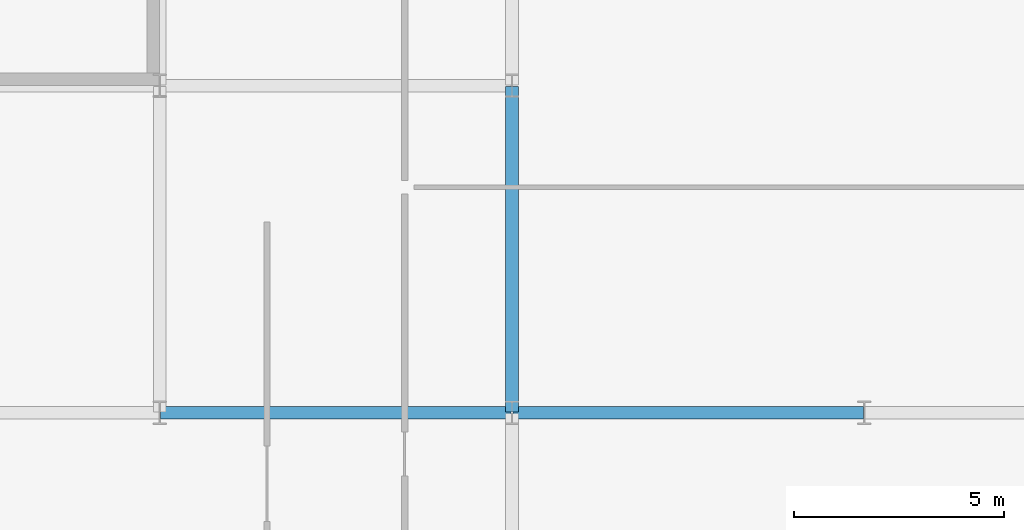
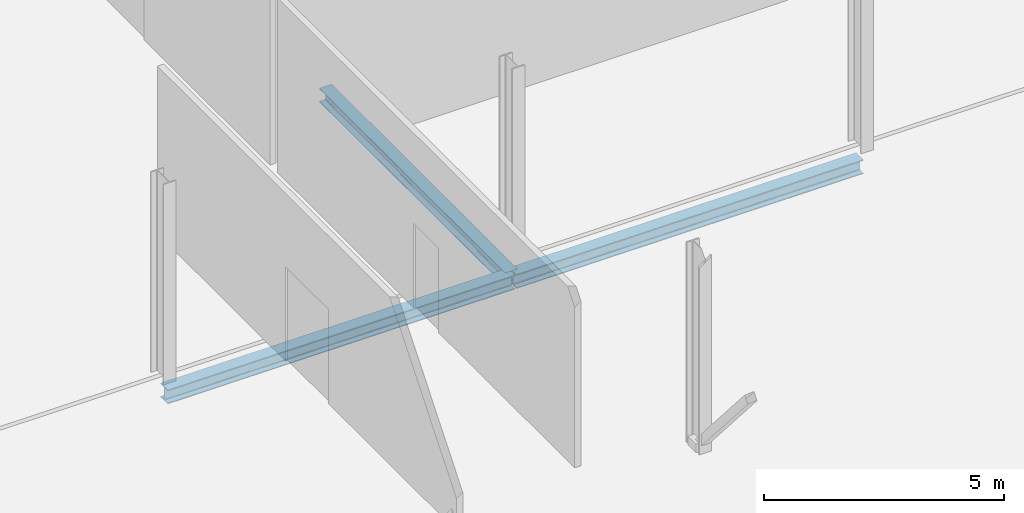
# One storey, part 42 of 105: 3 beams.
"""IFC4 building model written with IfcOpenShell, lengths in metres."""

from ifc_helpers import new_model, si_unit, direction, frame, origin, origin_2d, place, context, subcontext, project, spatial, i_section, extrude, material, material_profile, profile_set, type_object, element, save


model = new_model("IFC4")

# Units and contexts
model_context = context("Model", 3, precision=1e-05, world=origin(), true_north=direction((0.0, 1.0)))
body_context = subcontext(model_context, "Body", "Model", "MODEL_VIEW")
ifc_project = project(units=[si_unit("LENGTHUNIT", "METRE"), si_unit("AREAUNIT", "SQUARE_METRE"), si_unit("VOLUMEUNIT", "CUBIC_METRE"), si_unit("PLANEANGLEUNIT", "RADIAN"), si_unit("MASSUNIT", "GRAM", prefix="KILO")], contexts=[model_context])

# Site, building, storey
site_placement = place(None, origin())
site = spatial("IfcSite", under=ifc_project, at=site_placement, CompositionType="ELEMENT")
building_placement = place(site_placement, origin())
building = spatial("IfcBuilding", under=site, at=building_placement, Name="Nabrawat Pavilion Hospital", CompositionType="ELEMENT")
storey_placement = place(building_placement, frame((0.0, 0.0, 5.10009765625)))
storey = spatial("IfcBuildingStorey", under=building, at=storey_placement, Name="L01", CompositionType="ELEMENT", Elevation=5.10009765625)

# Beams
ifc_material = material(Name="Steel S355", Category="steel")
ifc_material_profile_1 = material_profile(ifc_material, i_section(OverallWidth=0.300048828125, OverallDepth=0.360107421875, WebThickness=0.012451171875, FlangeThickness=0.0224609375, FilletRadius=0.027099609375, at=origin_2d()), Name="HEB 360")
ifc_profile_set_1 = profile_set([ifc_material_profile_1], Name="Steel S355")
beam_type_1 = type_object("IfcBeamType", Name="Surgical Perimeter Spandrel HEB 360", PredefinedType="SPANDREL", material=ifc_profile_set_1)
beam_1_placement = place(storey_placement, frame((25.219970703125, 85.800048828125, -0.4501953125), z_axis=(1.0, 0.0, 0.0), x_axis=(0.0, 1.0, 0.0)))
element("IfcBeam", 1, at=beam_1_placement, inside=storey, type_object=beam_type_1, Name="L01 Primary X Girder 602", PredefinedType="SPANDREL", context=body_context, shape_type="SweptSolid", body=[
    extrude(i_section(OverallWidth=0.300048828125, OverallDepth=0.360107421875, WebThickness=0.012451171875, FlangeThickness=0.0224609375, FilletRadius=0.027099609375, at=origin_2d()), origin(), (0.0, 0.0, 1.0), 8.360107421875),
])
beam_2_placement = place(storey_placement, frame((33.6201171875, 85.800048828125, -0.4501953125), z_axis=(1.0, 0.0, 0.0), x_axis=(0.0, 1.0, 0.0)))
element("IfcBeam", 2, at=beam_2_placement, inside=storey, type_object=beam_type_1, Name="L01 Primary X Girder 603", PredefinedType="SPANDREL", context=body_context, shape_type="SweptSolid", body=[
    extrude(i_section(OverallWidth=0.300048828125, OverallDepth=0.360107421875, WebThickness=0.012451171875, FlangeThickness=0.0224609375, FilletRadius=0.027099609375, at=origin_2d()), origin(), (0.0, 0.0, 1.0), 8.35986328125),
])
ifc_material_profile_2 = material_profile(ifc_material, i_section(OverallWidth=0.300048828125, OverallDepth=0.35009765625, WebThickness=0.009521484375, FlangeThickness=0.017578125, FilletRadius=0.027099609375, at=origin_2d()), Name="HEA 360")
ifc_profile_set_2 = profile_set([ifc_material_profile_2], Name="Steel S355")
beam_type_2 = type_object("IfcBeamType", Name="Surgical Stiffened Beam HEA 360", PredefinedType="BEAM", material=ifc_profile_set_2)
beam_3_placement = place(storey_placement, frame((33.60009765625, 85.820068359375, -0.445068359375), z_axis=(0.0, 1.0, 0.0), x_axis=(-1.0, 0.0, 0.0)))
element("IfcBeam", 3, at=beam_3_placement, inside=storey, type_object=beam_type_2, Name="L01 Primary Y Beam 741", PredefinedType="BEAM", context=body_context, shape_type="SweptSolid", body=[
    extrude(i_section(OverallWidth=0.300048828125, OverallDepth=0.35009765625, WebThickness=0.009521484375, FlangeThickness=0.017578125, FilletRadius=0.027099609375, at=origin_2d()), origin(), (0.0, 0.0, 1.0), 7.760009765625),
])

save(model, "model.ifc")
